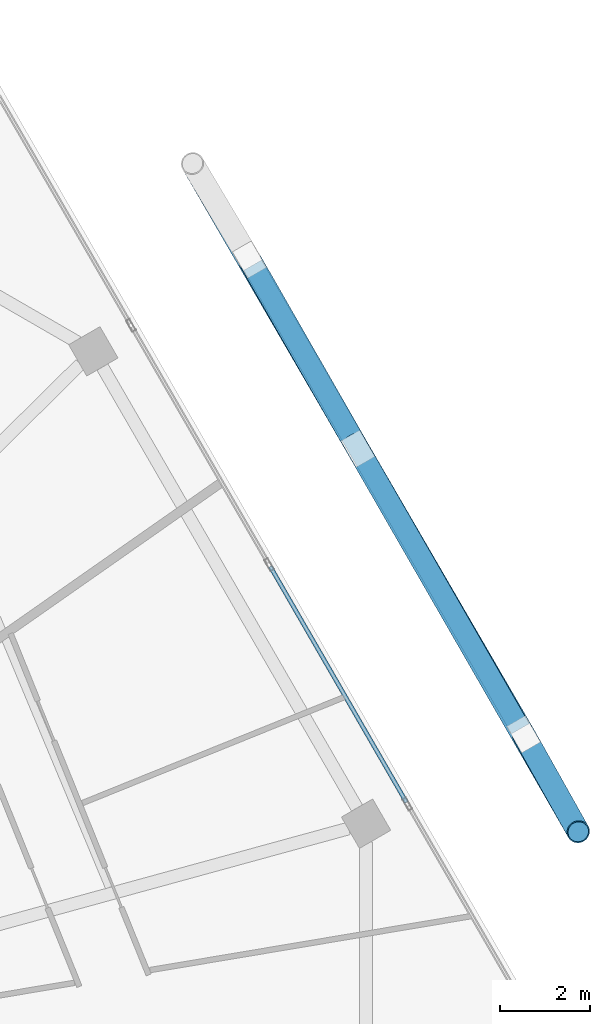
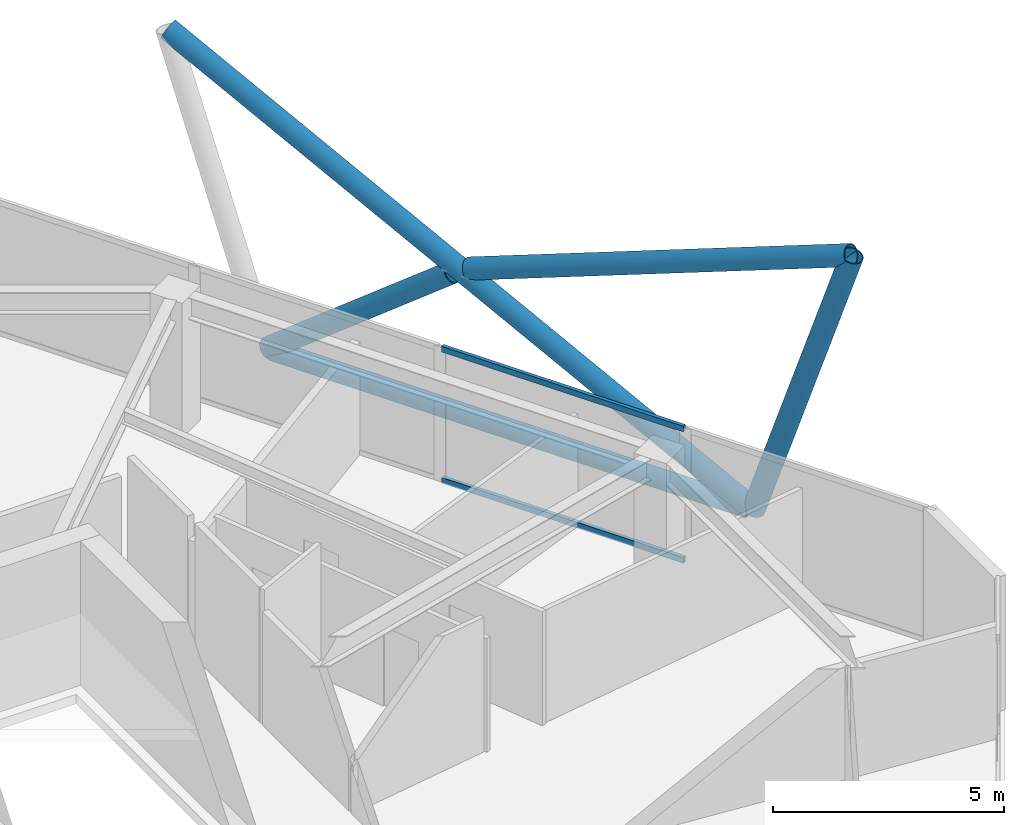
# One storey, part 14 of 23: 7 members, 1 element without a shape of its own.
"""IFC4 building model written with IfcOpenShell, lengths in metres."""

from ifc_helpers import new_model, si_unit, direction, frame, origin, origin_2d, place, context, subcontext, project, spatial, hollow_rectangle, hollow_circle, extrude, material, material_profile, profile_set, type_object, element, aggregate, save


model = new_model("IFC4")

# Units and contexts
model_context = context("Model", 3, precision=1e-05, world=origin(), true_north=direction((0.0, 1.0)))
body_context = subcontext(model_context, "Body", "Model", "MODEL_VIEW")
ifc_project = project(units=[si_unit("LENGTHUNIT", "METRE"), si_unit("AREAUNIT", "SQUARE_METRE"), si_unit("VOLUMEUNIT", "CUBIC_METRE"), si_unit("PLANEANGLEUNIT", "RADIAN"), si_unit("MASSUNIT", "GRAM", prefix="KILO")], contexts=[model_context])

# Site, building, storey
site_placement = place(None, origin())
site = spatial("IfcSite", under=ifc_project, at=site_placement, CompositionType="ELEMENT")
building_placement = place(site_placement, origin())
building = spatial("IfcBuilding", under=site, at=building_placement, Name="Zuhravey Tower", CompositionType="ELEMENT")
storey_placement = place(building_placement, frame((0.0, 0.0, 323.39990234375)))
storey = spatial("IfcBuildingStorey", under=building, at=storey_placement, Name="L82", CompositionType="ELEMENT", Elevation=323.39990234375)

# Curtain wall, members
ifc_material_1 = material(Name="Thermally broken anodised aluminium", Category="aluminium")
curtain_wall_type = type_object("IfcCurtainWallType", Name="Zone 3-4 High-Rise Curtain Wall CW4", PredefinedType="NOTDEFINED", material=ifc_material_1)
curtain_wall_placement = place(storey_placement, origin())
curtain_wall = element("IfcCurtainWall", 1, at=curtain_wall_placement, inside=storey, type_object=curtain_wall_type, Name="L82 CW4 CW-L82-F1-1", PredefinedType="NOTDEFINED")
ifc_material_2 = material(Name="Anodised aluminium", Category="aluminium")
ifc_material_profile_1 = material_profile(ifc_material_2, hollow_rectangle(XDim=0.090087890625, YDim=0.14990234375, WallThickness=0.0048828125, at=origin_2d()), Name="ALU-RHS-90x150x5")
ifc_profile_set_1 = profile_set([ifc_material_profile_1], Name="Anodised aluminium")
member_type_1 = type_object("IfcMemberType", Name="Curtain-Wall Transom 90x150", PredefinedType="USERDEFINED", material=ifc_profile_set_1)
member_1_placement = place(storey_placement, frame((56.871337890625, 43.998046875, 0.045166015625), z_axis=(0.499988837749, -0.866031848217, 0.0), x_axis=(0.866031848217, 0.499988837749, 0.0)))
member_1 = element("IfcMember", 2, at=member_1_placement, type_object=member_type_1, Name="CW4 transom 3.1", ObjectType="TRANSOM", PredefinedType="USERDEFINED", context=body_context, shape_type="SweptSolid", body=[
    extrude(hollow_rectangle(XDim=0.090087890625, YDim=0.14990234375, WallThickness=0.0048828125, at=origin_2d()), origin(), (0.0, 0.0, 1.0), 6.029541015625),
])
member_2_placement = place(storey_placement, frame((56.871337890625, 43.998046875, 3.505126953125), z_axis=(0.499988837749, -0.866031848217, 0.0), x_axis=(0.866031848217, 0.499988837749, 0.0)))
member_2 = element("IfcMember", 3, at=member_2_placement, type_object=member_type_1, Name="CW4 transom 3.2", ObjectType="TRANSOM", PredefinedType="USERDEFINED", context=body_context, shape_type="SweptSolid", body=[
    extrude(hollow_rectangle(XDim=0.090087890625, YDim=0.14990234375, WallThickness=0.0048828125, at=origin_2d()), origin(), (0.0, 0.0, 1.0), 6.029541015625),
])
aggregate(curtain_wall, [member_1, member_2])

# Members
ifc_material_3 = material(Name="Steel SM355", Category="steel")
ifc_material_profile_2 = material_profile(ifc_material_3, hollow_circle(Radius=0.228515625, WallThickness=0.02197265625, at=origin_2d()), Name="CHS-457.2x22")
ifc_profile_set_2 = profile_set([ifc_material_profile_2], Name="Steel SM355")
member_type_2 = type_object("IfcMemberType", Name="Exoskeleton Ring Tie CHS457x22", PredefinedType="CHORD", material=ifc_profile_set_2)
member_3_placement = place(storey_placement, frame((62.410400390625, 40.40380859375, -0.4638671875), z_axis=(-0.499988670204, 0.866031944946, 0.0), x_axis=(-0.866031944946, -0.499988670204, 0.0)))
element("IfcMember", 4, at=member_3_placement, inside=storey, type_object=member_type_2, Name="L82 Exoskeleton Face 1 Tie EXR1", PredefinedType="CHORD", context=body_context, shape_type="SweptSolid", body=[
    extrude(hollow_circle(Radius=0.228515625, WallThickness=0.02197265625, at=origin_2d()), origin(), (0.0, 0.0, 1.0), 11.854736328125),
])
ifc_material_profile_3 = material_profile(ifc_material_3, hollow_circle(Radius=0.25390625, WallThickness=0.02490234375, at=origin_2d()), Name="CHS-508.0x25")
ifc_profile_set_3 = profile_set([ifc_material_profile_3], Name="Steel SM355")
member_type_3 = type_object("IfcMemberType", Name="Exoskeleton Zone 4 Diagrid CHS508x25", PredefinedType="BRACE", material=ifc_profile_set_3)
member_4_placement = place(storey_placement, frame((62.483154296875, 40.27783203125, -0.447998046875), z_axis=(0.151976390211, -0.270711778205, 0.95058840197), x_axis=(0.871986744231, 0.489529486227, 0.0)))
element("IfcMember", 5, at=member_4_placement, inside=storey, type_object=member_type_3, Name="L82 Face 1 Diagrid Brace 1", PredefinedType="BRACE", context=body_context, shape_type="SweptSolid", body=[
    extrude(hollow_circle(Radius=0.25390625, WallThickness=0.02490234375, at=origin_2d()), origin(), (0.0, 0.0, 1.0), 7.96142578125),
])
member_5_placement = place(storey_placement, frame((62.465087890625, 40.30908203125, -0.447998046875), z_axis=(-0.445189809806, 0.767455740989, 0.461321708647), x_axis=(-0.86499915707, -0.501773313627, 0.0)))
element("IfcMember", 6, at=member_5_placement, inside=storey, type_object=member_type_3, Name="L82 Face 1 Diagrid Brace 2", PredefinedType="BRACE", context=body_context, shape_type="SweptSolid", body=[
    extrude(hollow_circle(Radius=0.25390625, WallThickness=0.02490234375, at=origin_2d()), origin(), (0.0, 0.0, 1.0), 16.4052734375),
])
member_6_placement = place(storey_placement, frame((56.4267578125, 50.76806640625, -0.4423828125), z_axis=(0.390720856122, -0.681690282168, 0.618575437428), x_axis=(0.867593524295, 0.497274045774, 0.0)))
element("IfcMember", 7, at=member_6_placement, inside=storey, type_object=member_type_3, Name="L82 Face 1 Split Diagrid Brace 3A", PredefinedType="BRACE", context=body_context, shape_type="SweptSolid", body=[
    extrude(hollow_circle(Radius=0.25390625, WallThickness=0.02490234375, at=origin_2d()), origin(), (0.0, 0.0, 1.0), 5.8642578125),
])
member_7_placement = place(storey_placement, frame((58.9267578125, 46.4072265625, 3.42431640625), z_axis=(0.464878039691, -0.808062007863, 0.361834492084), x_axis=(0.866793926818, 0.498666510236, 0.0)))
element("IfcMember", 8, at=member_7_placement, inside=storey, type_object=member_type_3, Name="L82 Face 1 Split Diagrid Brace 3B", PredefinedType="BRACE", context=body_context, shape_type="SweptSolid", body=[
    extrude(hollow_circle(Radius=0.25390625, WallThickness=0.02490234375, at=origin_2d()), origin(), (0.0, 0.0, 1.0), 10.223388671875),
])

save(model, "model.ifc")
